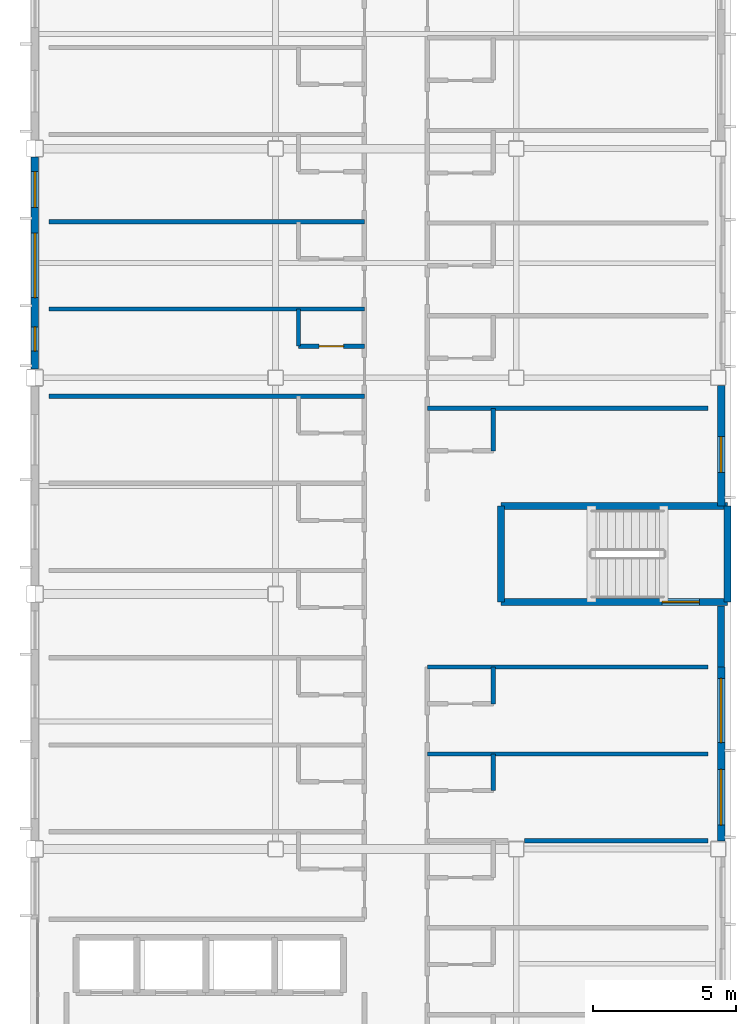
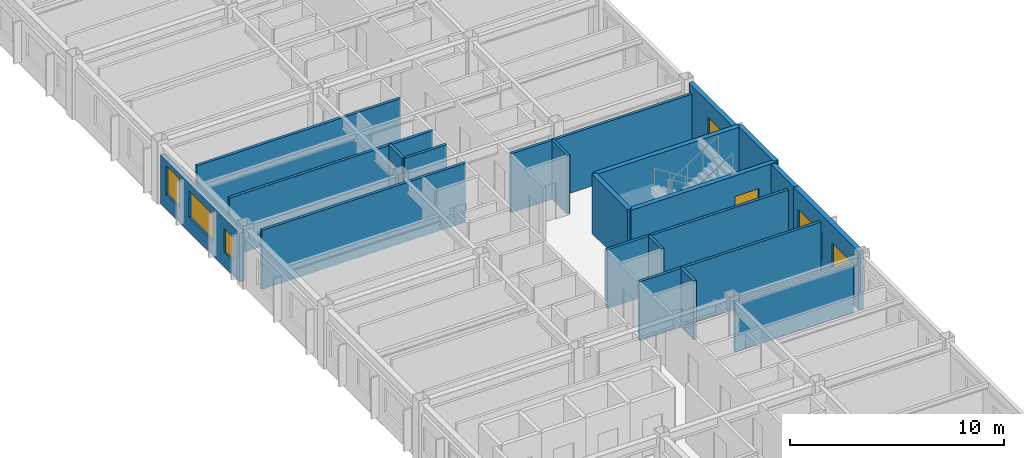
# One storey, part 30 of 38: 20 walls, 6 windows, 2 doors, 8 openings.
"""IFC4 building model written with IfcOpenShell, lengths in metres."""

from ifc_helpers import new_model, si_unit, direction, frame, frame_2d, origin, place, context, subcontext, project, spatial, rectangle, extrude, material, layer, layer_set, type_object, element, fill, save


model = new_model("IFC4")

# Units and contexts
model_context = context("Model", 3, precision=1e-05, world=origin(), true_north=direction((0.0, 1.0)))
body_context = subcontext(model_context, "Body", "Model", "MODEL_VIEW")
ifc_project = project(units=[si_unit("LENGTHUNIT", "METRE"), si_unit("AREAUNIT", "SQUARE_METRE"), si_unit("VOLUMEUNIT", "CUBIC_METRE"), si_unit("PLANEANGLEUNIT", "RADIAN"), si_unit("MASSUNIT", "GRAM", prefix="KILO")], contexts=[model_context])

# Site, building, storey
site_placement = place(None, origin())
site = spatial("IfcSite", under=ifc_project, at=site_placement, CompositionType="ELEMENT")
building_placement = place(site_placement, origin())
building = spatial("IfcBuilding", under=site, at=building_placement, Name="Kazehara Bluff Congress Hotel", CompositionType="ELEMENT")
storey_placement = place(building_placement, frame((0.0, 0.0, 24.60009765625)))
storey = spatial("IfcBuildingStorey", under=building, at=storey_placement, Name="L05", CompositionType="ELEMENT", Elevation=24.60009765625)

# Walls
ifc_material_1 = material(Name="Concrete C40/50", Category="concrete")
ifc_layer_1 = layer(ifc_material_1, 0.25)
ifc_layer_set_1 = layer_set([ifc_layer_1], Name="Concrete C40/50")
wall_type_1 = type_object("IfcWallType", Name="TP-CW-RC", PredefinedType="SHEAR", material=ifc_layer_set_1)
for number, where, z_axis, x_axis, name in (
    (1, (167.875, 76.425048828125, 0.0), (0.0, 0.0, 1.0), (0.0, -1.0, 0.0), "L05 ST-12 core wall near"),
    (2, (159.97509765625, 73.074951171875, 0.0), (0.0, 0.0, 1.0), (0.0, 1.0, 0.0), "L05 ST-12 core wall far"),
):
    element("IfcWall", number, at=place(storey_placement, frame(where, z_axis=z_axis, x_axis=x_axis)), inside=storey, type_object=wall_type_1, Name=name, PredefinedType="SHEAR", context=body_context, shape_type="SweptSolid", body=[
        extrude(rectangle(XDim=3.35009765625, YDim=0.25, at=frame_2d((1.675048828125, 0.0))), origin(), (0.0, 0.0, 1.0), 3.3798828125),
    ])
wall_1_placement = place(storey_placement, frame((159.97509765625, 76.425048828125, 0.0), z_axis=(0.0, 0.0, 1.0), x_axis=(1.0, 0.0, 0.0)))
element("IfcWall", 3, at=wall_1_placement, inside=storey, type_object=wall_type_1, Name="L05 ST-12 core wall left", PredefinedType="SHEAR", context=body_context, shape_type="SweptSolid", body=[
    extrude(rectangle(XDim=7.89990234375, YDim=0.25, at=frame_2d((3.949951171875, 0.0))), origin(), (0.0, 0.0, 1.0), 3.3798828125),
])

# Wall, opening, door
wall_2_placement = place(storey_placement, frame((167.875, 73.074951171875, 0.0), z_axis=(0.0, 0.0, 1.0), x_axis=(-1.0, 0.0, 0.0)))
wall_2 = element("IfcWall", 4, at=wall_2_placement, inside=storey, type_object=wall_type_1, Name="L05 ST-12 core wall right", PredefinedType="SHEAR", context=body_context, shape_type="SweptSolid", body=[
    extrude(rectangle(XDim=7.89990234375, YDim=0.25, at=frame_2d((3.949951171875, 0.0))), origin(), (0.0, 0.0, 1.0), 3.3798828125),
])
opening_1_placement = place(wall_2_placement, frame((0.985107421875, 0.0, 0.0)))
opening_1 = element("IfcOpeningElement", 5, at=opening_1_placement, cuts=wall_2, Name="Opening FD-01", PredefinedType="OPENING", context=body_context, shape_type="SweptSolid", body=[
    extrude(rectangle(XDim=1.300048828125, YDim=2.199951171875, at=frame_2d((0.64990234375, 1.10009765625))), frame((0.0, 0.135009765625, 0.0), z_axis=(0.0, -1.0, 0.0), x_axis=(1.0, 0.0, 0.0)), (0.0, 0.0, 1.0), 0.27001953125),
])
ifc_material_2 = material(Name="Fire-rated painted steel leaf", Category="steel")
door_type_1 = type_object("IfcDoorType", Name="TP-FD-01", OperationType="NOTDEFINED", PredefinedType="DOOR", material=ifc_material_2)
door_1_placement = place(opening_1_placement, origin())
door_1 = element("IfcDoor", 6, at=door_1_placement, inside=storey, type_object=door_type_1, Name="L05 ST-12 fire stair door", OperationType="SINGLE_SWING_LEFT", OverallHeight=2.199951171875, OverallWidth=1.300048828125, PredefinedType="DOOR", context=body_context, shape_type="SweptSolid", body=[
    extrude(rectangle(XDim=1.300048828125, YDim=2.199951171875, at=frame_2d((0.64990234375, 1.10009765625))), frame((0.0, 0.02490234375, 0.0), z_axis=(0.0, -1.0, 0.0), x_axis=(1.0, 0.0, 0.0)), (0.0, 0.0, 1.0), 0.050048828125),
])
fill(opening_1, door_1)

# Wall
ifc_material_3 = material(Name="Precast concrete C40/50", Category="concrete")
ifc_layer_2 = layer(ifc_material_3, 0.239990234375)
ifc_layer_set_2 = layer_set([ifc_layer_2], Name="Precast concrete C40/50")
wall_type_2 = type_object("IfcWallType", Name="TP-EW-240", PredefinedType="SOLIDWALL", material=ifc_layer_set_2)
wall_3_placement = place(storey_placement, frame((167.64990234375, 72.93994140625, 0.0), z_axis=(0.0, 0.0, 1.0), x_axis=(0.0, -1.0, 0.0)))
element("IfcWall", 7, at=wall_3_placement, inside=storey, type_object=wall_type_2, Name="L05 V5 perimeter spandrel pier 733", PredefinedType="SOLIDWALL", context=body_context, shape_type="SweptSolid", body=[
    extrude(rectangle(XDim=2.139892578125, YDim=0.239990234375, at=frame_2d((1.06982421875, 0.0))), origin(), (0.0, 0.0, 1.0), 3.364990234375),
])

# Wall, openings, windows
ifc_material_4 = material(Name="Precast concrete C40/50", Category="concrete")
ifc_layer_3 = layer(ifc_material_4, 0.260009765625)
ifc_layer_set_3 = layer_set([ifc_layer_3], Name="Precast concrete C40/50")
wall_type_3 = type_object("IfcWallType", Name="TP-EW-260", PredefinedType="SOLIDWALL", material=ifc_layer_set_3)
wall_4_placement = place(storey_placement, frame((167.64990234375, 70.800048828125, 0.0), z_axis=(0.0, 0.0, 1.0), x_axis=(0.0, -1.0, 0.0)))
wall_4 = element("IfcWall", 8, at=wall_4_placement, inside=storey, type_object=wall_type_3, Name="L05 hotel facade panel 50", PredefinedType="SOLIDWALL", context=body_context, shape_type="SweptSolid", body=[
    extrude(rectangle(XDim=6.074951171875, YDim=0.260009765625, at=frame_2d((3.03759765625, 0.0))), origin(), (0.0, 0.0, 1.0), 3.364990234375),
])
opening_2_placement = place(wall_4_placement, frame((3.570068359375, 0.0, 0.85009765625)))
opening_2 = element("IfcOpeningElement", 9, at=opening_2_placement, cuts=wall_4, Name="Opening WN-42", PredefinedType="OPENING", context=body_context, shape_type="SweptSolid", body=[
    extrude(rectangle(XDim=1.949951171875, YDim=1.5, at=frame_2d((0.97509765625, 0.75))), frame((0.0, 0.139892578125, 0.0), z_axis=(0.0, -1.0, 0.0), x_axis=(1.0, 0.0, 0.0)), (0.0, 0.0, 1.0), 0.280029296875),
])
opening_3_placement = place(wall_4_placement, frame((0.389892578125, 0.0, 0.85009765625)))
opening_3 = element("IfcOpeningElement", 10, at=opening_3_placement, cuts=wall_4, Name="Opening WN-52", PredefinedType="OPENING", context=body_context, shape_type="SweptSolid", body=[
    extrude(rectangle(XDim=2.25, YDim=1.5, at=frame_2d((1.125, 0.75))), frame((0.0, 0.139892578125, 0.0), z_axis=(0.0, -1.0, 0.0), x_axis=(1.0, 0.0, 0.0)), (0.0, 0.0, 1.0), 0.280029296875),
])
ifc_material_5 = material(Name="Insulated low-E double glazing", Category="glass")
window_type_1 = type_object("IfcWindowType", Name="TP-WN-42", PartitioningType="DOUBLE_PANEL_VERTICAL", PredefinedType="WINDOW", material=ifc_material_5)
window_1_placement = place(opening_2_placement, origin())
window_1 = element("IfcWindow", 11, at=window_1_placement, inside=storey, type_object=window_type_1, Name="L05 guestroom window WN-42 86", OverallHeight=1.5, OverallWidth=1.949951171875, PartitioningType="SINGLE_PANEL", PredefinedType="WINDOW", context=body_context, shape_type="SweptSolid", body=[
    extrude(rectangle(XDim=1.949951171875, YDim=1.5, at=frame_2d((0.97509765625, 0.75))), frame((0.0, 0.030029296875, 0.0), z_axis=(0.0, -1.0, 0.0), x_axis=(1.0, 0.0, 0.0)), (0.0, 0.0, 1.0), 0.06005859375),
])
fill(opening_2, window_1)
ifc_material_6 = material(Name="Insulated low-E double glazing", Category="glass")
window_type_2 = type_object("IfcWindowType", Name="TP-WN-52", PartitioningType="DOUBLE_PANEL_VERTICAL", PredefinedType="WINDOW", material=ifc_material_6)
window_2_placement = place(opening_3_placement, origin())
window_2 = element("IfcWindow", 12, at=window_2_placement, inside=storey, type_object=window_type_2, Name="L05 guestroom window WN-52 87", OverallHeight=1.5, OverallWidth=2.25, PartitioningType="SINGLE_PANEL", PredefinedType="WINDOW", context=body_context, shape_type="SweptSolid", body=[
    extrude(rectangle(XDim=2.25, YDim=1.5, at=frame_2d((1.125, 0.75))), frame((0.0, 0.030029296875, 0.0), z_axis=(0.0, -1.0, 0.0), x_axis=(1.0, 0.0, 0.0)), (0.0, 0.0, 1.0), 0.06005859375),
])
fill(opening_3, window_2)

# Wall, opening, window
wall_5_placement = place(storey_placement, frame((167.64990234375, 80.625, 0.0), z_axis=(0.0, 0.0, 1.0), x_axis=(0.0, -1.0, 0.0)))
wall_5 = element("IfcWall", 13, at=wall_5_placement, inside=storey, type_object=wall_type_3, Name="L05 hotel facade panel 51", PredefinedType="SOLIDWALL", context=body_context, shape_type="SweptSolid", body=[
    extrude(rectangle(XDim=4.199951171875, YDim=0.260009765625, at=frame_2d((2.10009765625, 0.0))), origin(), (0.0, 0.0, 1.0), 3.364990234375),
])
opening_4_placement = place(wall_5_placement, frame((1.780029296875, 0.0, 0.85009765625)))
opening_4 = element("IfcOpeningElement", 14, at=opening_4_placement, cuts=wall_5, Name="Opening WN-08", PredefinedType="OPENING", context=body_context, shape_type="SweptSolid", body=[
    extrude(rectangle(XDim=1.25, YDim=1.64990234375, at=frame_2d((0.625, 0.824951171875))), frame((0.0, 0.139892578125, 0.0), z_axis=(0.0, -1.0, 0.0), x_axis=(1.0, 0.0, 0.0)), (0.0, 0.0, 1.0), 0.280029296875),
])
ifc_material_7 = material(Name="Insulated low-E double glazing", Category="glass")
window_type_3 = type_object("IfcWindowType", Name="TP-WN-08", PartitioningType="SINGLE_PANEL", PredefinedType="WINDOW", material=ifc_material_7)
window_3_placement = place(opening_4_placement, origin())
window_3 = element("IfcWindow", 15, at=window_3_placement, inside=storey, type_object=window_type_3, Name="L05 guestroom window WN-08 88", OverallHeight=1.64990234375, OverallWidth=1.25, PartitioningType="SINGLE_PANEL", PredefinedType="WINDOW", context=body_context, shape_type="SweptSolid", body=[
    extrude(rectangle(XDim=1.25, YDim=1.64990234375, at=frame_2d((0.625, 0.824951171875))), frame((0.0, 0.030029296875, 0.0), z_axis=(0.0, -1.0, 0.0), x_axis=(1.0, 0.0, 0.0)), (0.0, 0.0, 1.0), 0.06005859375),
])
fill(opening_4, window_3)

# Wall, openings, windows
wall_6_placement = place(storey_placement, frame((143.699951171875, 81.199951171875, 0.0), z_axis=(0.0, 0.0, 1.0), x_axis=(0.0, 1.0, 0.0)))
wall_6 = element("IfcWall", 16, at=wall_6_placement, inside=storey, type_object=wall_type_3, Name="L05 hotel facade panel 63", PredefinedType="SOLIDWALL", context=body_context, shape_type="SweptSolid", body=[
    extrude(rectangle(XDim=7.400146484375, YDim=0.260009765625, at=frame_2d((3.7001953125, 0.0))), origin(), (0.0, 0.0, 1.0), 2.804931640625),
])
opening_5_placement = place(wall_6_placement, frame((0.625, 0.0, 0.85009765625)))
opening_5 = element("IfcOpeningElement", 17, at=opening_5_placement, cuts=wall_6, Name="Opening WN-55", PredefinedType="OPENING", context=body_context, shape_type="SweptSolid", body=[
    extrude(rectangle(XDim=0.85009765625, YDim=1.35009765625, at=frame_2d((0.425048828125, 0.675048828125))), frame((0.0, 0.139892578125, 0.0), z_axis=(0.0, -1.0, 0.0), x_axis=(1.0, 0.0, 0.0)), (0.0, 0.0, 1.0), 0.280029296875),
])
opening_6_placement = place(wall_6_placement, frame((2.4951171875, 0.0, 0.85009765625)))
opening_6 = element("IfcOpeningElement", 18, at=opening_6_placement, cuts=wall_6, Name="Opening WN-52", PredefinedType="OPENING", context=body_context, shape_type="SweptSolid", body=[
    extrude(rectangle(XDim=2.25, YDim=1.5, at=frame_2d((1.125, 0.75))), frame((0.0, 0.139892578125, 0.0), z_axis=(0.0, -1.0, 0.0), x_axis=(1.0, 0.0, 0.0)), (0.0, 0.0, 1.0), 0.280029296875),
])
opening_7_placement = place(wall_6_placement, frame((5.64501953125, 0.0, 0.85009765625)))
opening_7 = element("IfcOpeningElement", 19, at=opening_7_placement, cuts=wall_6, Name="Opening WN-08", PredefinedType="OPENING", context=body_context, shape_type="SweptSolid", body=[
    extrude(rectangle(XDim=1.25, YDim=1.64990234375, at=frame_2d((0.625, 0.824951171875))), frame((0.0, 0.139892578125, 0.0), z_axis=(0.0, -1.0, 0.0), x_axis=(1.0, 0.0, 0.0)), (0.0, 0.0, 1.0), 0.280029296875),
])
window_4_placement = place(opening_7_placement, origin())
window_4 = element("IfcWindow", 20, at=window_4_placement, inside=storey, type_object=window_type_3, Name="L05 guestroom window WN-08 113", OverallHeight=1.64990234375, OverallWidth=1.25, PartitioningType="SINGLE_PANEL", PredefinedType="WINDOW", context=body_context, shape_type="SweptSolid", body=[
    extrude(rectangle(XDim=1.25, YDim=1.64990234375, at=frame_2d((0.625, 0.824951171875))), frame((0.0, 0.030029296875, 0.0), z_axis=(0.0, -1.0, 0.0), x_axis=(1.0, 0.0, 0.0)), (0.0, 0.0, 1.0), 0.06005859375),
])
fill(opening_7, window_4)
window_5_placement = place(opening_6_placement, origin())
window_5 = element("IfcWindow", 21, at=window_5_placement, inside=storey, type_object=window_type_2, Name="L05 guestroom window WN-52 112", OverallHeight=1.5, OverallWidth=2.25, PartitioningType="SINGLE_PANEL", PredefinedType="WINDOW", context=body_context, shape_type="SweptSolid", body=[
    extrude(rectangle(XDim=2.25, YDim=1.5, at=frame_2d((1.125, 0.75))), frame((0.0, 0.030029296875, 0.0), z_axis=(0.0, -1.0, 0.0), x_axis=(1.0, 0.0, 0.0)), (0.0, 0.0, 1.0), 0.06005859375),
])
fill(opening_6, window_5)
ifc_material_8 = material(Name="Insulated low-E double glazing", Category="glass")
window_type_4 = type_object("IfcWindowType", Name="TP-WN-55", PartitioningType="SINGLE_PANEL", PredefinedType="WINDOW", material=ifc_material_8)
window_6_placement = place(opening_5_placement, origin())
window_6 = element("IfcWindow", 22, at=window_6_placement, inside=storey, type_object=window_type_4, Name="L05 guestroom window WN-55 111", OverallHeight=1.35009765625, OverallWidth=0.85009765625, PartitioningType="SINGLE_PANEL", PredefinedType="WINDOW", context=body_context, shape_type="SweptSolid", body=[
    extrude(rectangle(XDim=0.85009765625, YDim=1.35009765625, at=frame_2d((0.425048828125, 0.675048828125))), frame((0.0, 0.030029296875, 0.0), z_axis=(0.0, -1.0, 0.0), x_axis=(1.0, 0.0, 0.0)), (0.0, 0.0, 1.0), 0.06005859375),
])
fill(opening_5, window_6)

# Walls
ifc_material_9 = material(Name="Fire-rated gypsum board stud partition")
ifc_layer_4 = layer(ifc_material_9, 0.14990234375)
ifc_layer_set_4 = layer_set([ifc_layer_4], Name="Fire-rated gypsum board stud partition")
wall_type_4 = type_object("IfcWallType", Name="TP-PT-150", PredefinedType="PARTITIONING", material=ifc_layer_set_4)
wall_7_placement = place(storey_placement, frame((160.794921875, 64.739990234375, 0.0), z_axis=(0.0, 0.0, 1.0), x_axis=(1.0, 0.0, 0.0)))
element("IfcWall", 23, at=wall_7_placement, inside=storey, type_object=wall_type_4, Name="L05 partition PT-150 578", PredefinedType="PARTITIONING", context=body_context, shape_type="SweptSolid", body=[
    extrude(rectangle(XDim=6.405029296875, YDim=0.14990234375, at=frame_2d((3.20263671875, 0.0))), origin(), (0.0, 0.0, 1.0), 2.85498046875),
])
for number, where, z_axis, x_axis, name in (
    (24, (157.39990234375, 67.77001953125, 0.0), (0.0, 0.0, 1.0), (1.0, 0.0, 0.0), "L05 partition PT-150 582"),
    (25, (157.39990234375, 70.800048828125, 0.0), (0.0, 0.0, 1.0), (1.0, 0.0, 0.0), "L05 partition PT-150 586"),
    (26, (157.39990234375, 79.830078125, 0.0), (0.0, 0.0, 1.0), (1.0, 0.0, 0.0), "L05 partition PT-150 594"),
):
    element("IfcWall", number, at=place(storey_placement, frame(where, z_axis=z_axis, x_axis=x_axis)), inside=storey, type_object=wall_type_4, Name=name, PredefinedType="PARTITIONING", context=body_context, shape_type="SweptSolid", body=[
        extrude(rectangle(XDim=9.800048828125, YDim=0.14990234375, at=frame_2d((4.89990234375, 0.0))), origin(), (0.0, 0.0, 1.0), 3.364990234375),
    ])
wall_8_placement = place(storey_placement, frame((144.199951171875, 80.25, 0.0), z_axis=(0.0, 0.0, 1.0), x_axis=(1.0, 0.0, 0.0)))
element("IfcWall", 27, at=wall_8_placement, inside=storey, type_object=wall_type_4, Name="L05 partition PT-150 595", PredefinedType="PARTITIONING", context=body_context, shape_type="SweptSolid", body=[
    extrude(rectangle(XDim=11.0, YDim=0.14990234375, at=frame_2d((5.5, 0.0))), origin(), (0.0, 0.0, 1.0), 3.364990234375),
])

# Wall, opening, door
wall_9_placement = place(storey_placement, frame((152.89990234375, 82.0, 0.0), z_axis=(0.0, 0.0, 1.0), x_axis=(1.0, 0.0, 0.0)))
wall_9 = element("IfcWall", 28, at=wall_9_placement, inside=storey, type_object=wall_type_4, Name="L05 partition PT-150 597", PredefinedType="PARTITIONING", context=body_context, shape_type="SweptSolid", body=[
    extrude(rectangle(XDim=2.300048828125, YDim=0.14990234375, at=frame_2d((1.14990234375, 0.0))), origin(), (0.0, 0.0, 1.0), 3.364990234375),
])
opening_8_placement = place(wall_9_placement, frame((0.72509765625, 0.0, 0.0)))
opening_8 = element("IfcOpeningElement", 29, at=opening_8_placement, cuts=wall_9, Name="Opening BD-01", PredefinedType="OPENING", context=body_context, shape_type="SweptSolid", body=[
    extrude(rectangle(XDim=0.85009765625, YDim=2.10009765625, at=frame_2d((0.425048828125, 1.050048828125))), frame((0.0, 0.0849609375, 0.0), z_axis=(0.0, -1.0, 0.0), x_axis=(1.0, 0.0, 0.0)), (0.0, 0.0, 1.0), 0.169921875),
])
ifc_material_10 = material(Name="Architectural oak veneer leaf")
door_type_2 = type_object("IfcDoorType", Name="TP-BD-01", OperationType="NOTDEFINED", PredefinedType="DOOR", material=ifc_material_10)
door_2_placement = place(opening_8_placement, origin())
door_2 = element("IfcDoor", 30, at=door_2_placement, inside=storey, type_object=door_type_2, Name="L05 En-suite Bathroom 84 door", OperationType="SINGLE_SWING_RIGHT", OverallHeight=2.10009765625, OverallWidth=0.85009765625, PredefinedType="DOOR", context=body_context, shape_type="SweptSolid", body=[
    extrude(rectangle(XDim=0.85009765625, YDim=2.10009765625, at=frame_2d((0.425048828125, 1.050048828125))), frame((0.0, 0.02490234375, 0.0), z_axis=(0.0, -1.0, 0.0), x_axis=(1.0, 0.0, 0.0)), (0.0, 0.0, 1.0), 0.050048828125),
])
fill(opening_8, door_2)

# Walls
for number, where, z_axis, x_axis, name in (
    (31, (144.199951171875, 83.300048828125, 0.0), (0.0, 0.0, 1.0), (1.0, 0.0, 0.0), "L05 partition PT-150 599"),
    (32, (144.199951171875, 86.340087890625, 0.0), (0.0, 0.0, 1.0), (1.0, 0.0, 0.0), "L05 partition PT-150 603"),
):
    element("IfcWall", number, at=place(storey_placement, frame(where, z_axis=z_axis, x_axis=x_axis)), inside=storey, type_object=wall_type_4, Name=name, PredefinedType="PARTITIONING", context=body_context, shape_type="SweptSolid", body=[
        extrude(rectangle(XDim=11.0, YDim=0.14990234375, at=frame_2d((5.5, 0.0))), origin(), (0.0, 0.0, 1.0), 3.364990234375),
    ])
wall_10_placement = place(storey_placement, frame((152.89990234375, 82.0048828125, 0.0), z_axis=(0.0, 0.0, 1.0), x_axis=(0.0, 1.0, 0.0)))
element("IfcWall", 33, at=wall_10_placement, inside=storey, type_object=wall_type_4, Name="L05 partition PT-150 642", PredefinedType="PARTITIONING", context=body_context, shape_type="SweptSolid", body=[
    extrude(rectangle(XDim=1.295166015625, YDim=0.14990234375, at=frame_2d((0.6474609375, 0.0))), origin(), (0.0, 0.0, 1.0), 3.364990234375),
])
for number, where, z_axis, x_axis, name in (
    (34, (159.699951171875, 66.489990234375, 0.0), (0.0, 0.0, 1.0), (0.0, 1.0, 0.0), "L05 partition PT-150 679"),
    (35, (159.699951171875, 69.52001953125, 0.0), (0.0, 0.0, 1.0), (0.0, 1.0, 0.0), "L05 partition PT-150 680"),
):
    element("IfcWall", number, at=place(storey_placement, frame(where, z_axis=z_axis, x_axis=x_axis)), inside=storey, type_object=wall_type_4, Name=name, PredefinedType="PARTITIONING", context=body_context, shape_type="SweptSolid", body=[
        extrude(rectangle(XDim=1.280029296875, YDim=0.14990234375, at=frame_2d((0.64013671875, 0.0))), origin(), (0.0, 0.0, 1.0), 3.364990234375),
    ])
wall_11_placement = place(storey_placement, frame((159.699951171875, 78.35009765625, 0.0), z_axis=(0.0, 0.0, 1.0), x_axis=(0.0, 1.0, 0.0)))
element("IfcWall", 36, at=wall_11_placement, inside=storey, type_object=wall_type_4, Name="L05 partition PT-150 681", PredefinedType="PARTITIONING", context=body_context, shape_type="SweptSolid", body=[
    extrude(rectangle(XDim=1.48486328125, YDim=0.14990234375, at=frame_2d((0.742431640625, 0.0))), origin(), (0.0, 0.0, 1.0), 3.364990234375),
])

save(model, "model.ifc")
